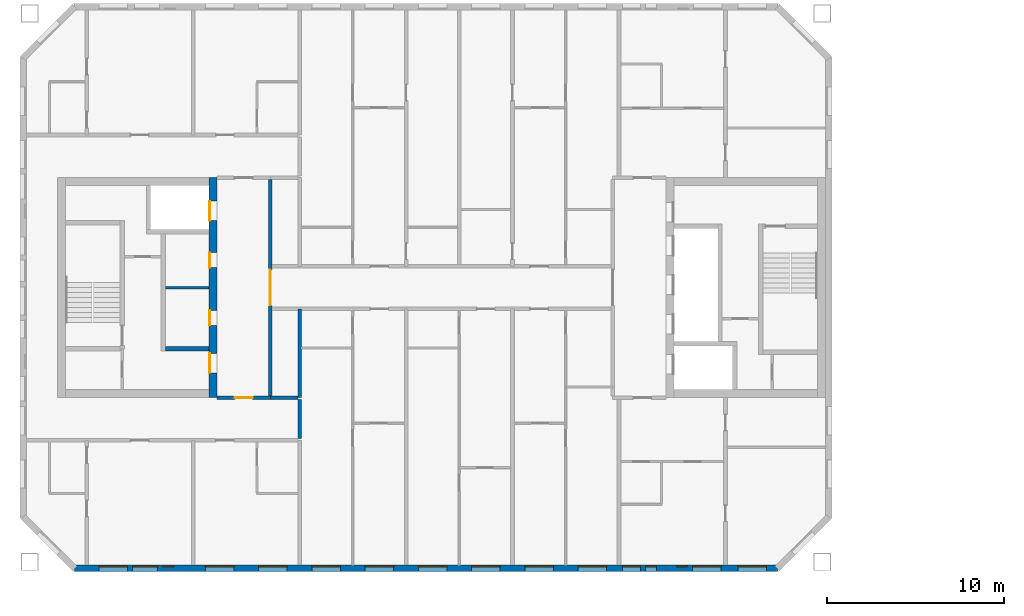
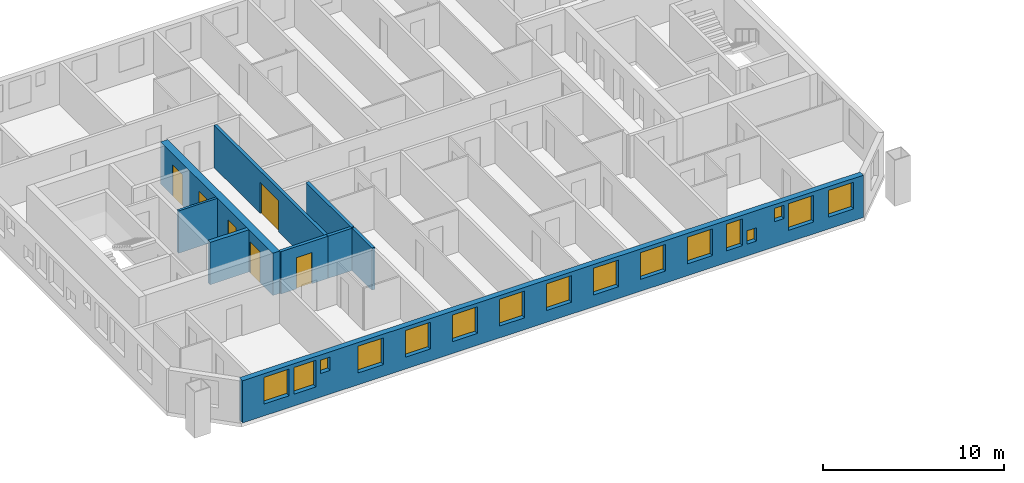
# One storey, part 3 of 16: 16 windows, 9 walls, 6 doors, 22 openings.
"""IFC4 building model written with IfcOpenShell, lengths in metres."""

from ifc_helpers import new_model, si_unit, direction, frame, frame_2d, origin, place, context, subcontext, project, spatial, rectangle, extrude, material, layer, layer_set, type_object, element, fill, save


model = new_model("IFC4")

# Units and contexts
model_context = context("Model", 3, precision=1e-05, world=origin(), true_north=direction((0.0, 1.0)))
body_context = subcontext(model_context, "Body", "Model", "MODEL_VIEW")
ifc_project = project(units=[si_unit("LENGTHUNIT", "METRE"), si_unit("AREAUNIT", "SQUARE_METRE"), si_unit("VOLUMEUNIT", "CUBIC_METRE"), si_unit("PLANEANGLEUNIT", "RADIAN"), si_unit("MASSUNIT", "GRAM", prefix="KILO")], contexts=[model_context])

# Site, building, storey
site_placement = place(None, origin())
site = spatial("IfcSite", under=ifc_project, at=site_placement, CompositionType="ELEMENT")
building_placement = place(site_placement, origin())
building = spatial("IfcBuilding", under=site, at=building_placement, Name="Tuart Gate Housing", CompositionType="ELEMENT")
storey_placement = place(building_placement, frame((0.0, 0.0, 178.89990234375)))
storey = spatial("IfcBuildingStorey", under=building, at=storey_placement, Name="L50", CompositionType="ELEMENT", Elevation=178.89990234375)

# Wall, openings, windows
ifc_material_1 = material(Name="Brick", Category="masonry")
ifc_layer_1 = layer(ifc_material_1, 0.360107421875)
ifc_layer_set_1 = layer_set([ifc_layer_1], Name="Brick pier and spandrel wall 360")
wall_type_1 = type_object("IfcWallType", Name="Brick pier and spandrel wall 360", PredefinedType="STANDARD", material=ifc_layer_set_1)
wall_1_placement = place(storey_placement, frame((33.32470703125, 54.179931640625, 0.0), z_axis=(0.0, 0.0, 1.0), x_axis=(1.0, 0.0, 0.0)))
wall_1 = element("IfcWall", 1, at=wall_1_placement, inside=storey, type_object=wall_type_1, Name="External wall A-S L50", PredefinedType="STANDARD", context=body_context, shape_type="SweptSolid", body=[
    extrude(rectangle(XDim=39.600830078125, YDim=0.360107421875, at=frame_2d((19.80029296875, 0.0))), origin(), (0.0, 0.0, 1.0), 2.85009765625),
])
opening_1_placement = place(wall_1_placement, frame((1.37548828125, 0.0, 0.800048828125)))
opening_1 = element("IfcOpeningElement", 2, at=opening_1_placement, cuts=wall_1, Name="Opening W1", PredefinedType="OPENING", context=body_context, shape_type="SweptSolid", body=[
    extrude(rectangle(XDim=1.60009765625, YDim=1.800048828125, at=frame_2d((0.800048828125, 0.89990234375))), frame((0.0, 0.18994140625, 0.0), z_axis=(0.0, -1.0, 0.0), x_axis=(1.0, 0.0, 0.0)), (0.0, 0.0, 1.0), 0.380126953125),
])
opening_2_placement = place(wall_1_placement, frame((3.275390625, 0.0, 0.800048828125)))
opening_2 = element("IfcOpeningElement", 3, at=opening_2_placement, cuts=wall_1, Name="Opening W1A", PredefinedType="OPENING", context=body_context, shape_type="SweptSolid", body=[
    extrude(rectangle(XDim=1.39990234375, YDim=1.800048828125, at=frame_2d((0.699951171875, 0.89990234375))), frame((0.0, 0.18994140625, 0.0), z_axis=(0.0, -1.0, 0.0), x_axis=(1.0, 0.0, 0.0)), (0.0, 0.0, 1.0), 0.380126953125),
])
opening_3_placement = place(wall_1_placement, frame((7.37548828125, 0.0, 0.800048828125)))
opening_3 = element("IfcOpeningElement", 4, at=opening_3_placement, cuts=wall_1, Name="Opening W1", PredefinedType="OPENING", context=body_context, shape_type="SweptSolid", body=[
    extrude(rectangle(XDim=1.60009765625, YDim=1.800048828125, at=frame_2d((0.800048828125, 0.89990234375))), frame((0.0, 0.18994140625, 0.0), z_axis=(0.0, -1.0, 0.0), x_axis=(1.0, 0.0, 0.0)), (0.0, 0.0, 1.0), 0.380126953125),
])
opening_4_placement = place(wall_1_placement, frame((10.37548828125, 0.0, 0.800048828125)))
opening_4 = element("IfcOpeningElement", 5, at=opening_4_placement, cuts=wall_1, Name="Opening W1", PredefinedType="OPENING", context=body_context, shape_type="SweptSolid", body=[
    extrude(rectangle(XDim=1.60009765625, YDim=1.800048828125, at=frame_2d((0.800048828125, 0.89990234375))), frame((0.0, 0.18994140625, 0.0), z_axis=(0.0, -1.0, 0.0), x_axis=(1.0, 0.0, 0.0)), (0.0, 0.0, 1.0), 0.380126953125),
])
opening_5_placement = place(wall_1_placement, frame((13.37548828125, 0.0, 0.800048828125)))
opening_5 = element("IfcOpeningElement", 6, at=opening_5_placement, cuts=wall_1, Name="Opening W1", PredefinedType="OPENING", context=body_context, shape_type="SweptSolid", body=[
    extrude(rectangle(XDim=1.60009765625, YDim=1.800048828125, at=frame_2d((0.800048828125, 0.89990234375))), frame((0.0, 0.18994140625, 0.0), z_axis=(0.0, -1.0, 0.0), x_axis=(1.0, 0.0, 0.0)), (0.0, 0.0, 1.0), 0.380126953125),
])
opening_6_placement = place(wall_1_placement, frame((16.37548828125, 0.0, 0.800048828125)))
opening_6 = element("IfcOpeningElement", 7, at=opening_6_placement, cuts=wall_1, Name="Opening W1", PredefinedType="OPENING", context=body_context, shape_type="SweptSolid", body=[
    extrude(rectangle(XDim=1.60009765625, YDim=1.800048828125, at=frame_2d((0.800048828125, 0.89990234375))), frame((0.0, 0.18994140625, 0.0), z_axis=(0.0, -1.0, 0.0), x_axis=(1.0, 0.0, 0.0)), (0.0, 0.0, 1.0), 0.380126953125),
])
opening_7_placement = place(wall_1_placement, frame((19.37548828125, 0.0, 0.800048828125)))
opening_7 = element("IfcOpeningElement", 8, at=opening_7_placement, cuts=wall_1, Name="Opening W1", PredefinedType="OPENING", context=body_context, shape_type="SweptSolid", body=[
    extrude(rectangle(XDim=1.60009765625, YDim=1.800048828125, at=frame_2d((0.800048828125, 0.89990234375))), frame((0.0, 0.18994140625, 0.0), z_axis=(0.0, -1.0, 0.0), x_axis=(1.0, 0.0, 0.0)), (0.0, 0.0, 1.0), 0.380126953125),
])
opening_8_placement = place(wall_1_placement, frame((22.37548828125, 0.0, 0.800048828125)))
opening_8 = element("IfcOpeningElement", 9, at=opening_8_placement, cuts=wall_1, Name="Opening W1", PredefinedType="OPENING", context=body_context, shape_type="SweptSolid", body=[
    extrude(rectangle(XDim=1.60009765625, YDim=1.800048828125, at=frame_2d((0.800048828125, 0.89990234375))), frame((0.0, 0.18994140625, 0.0), z_axis=(0.0, -1.0, 0.0), x_axis=(1.0, 0.0, 0.0)), (0.0, 0.0, 1.0), 0.380126953125),
])
opening_9_placement = place(wall_1_placement, frame((25.37548828125, 0.0, 0.800048828125)))
opening_9 = element("IfcOpeningElement", 10, at=opening_9_placement, cuts=wall_1, Name="Opening W1", PredefinedType="OPENING", context=body_context, shape_type="SweptSolid", body=[
    extrude(rectangle(XDim=1.60009765625, YDim=1.800048828125, at=frame_2d((0.800048828125, 0.89990234375))), frame((0.0, 0.18994140625, 0.0), z_axis=(0.0, -1.0, 0.0), x_axis=(1.0, 0.0, 0.0)), (0.0, 0.0, 1.0), 0.380126953125),
])
opening_10_placement = place(wall_1_placement, frame((28.37548828125, 0.0, 0.800048828125)))
opening_10 = element("IfcOpeningElement", 11, at=opening_10_placement, cuts=wall_1, Name="Opening W1", PredefinedType="OPENING", context=body_context, shape_type="SweptSolid", body=[
    extrude(rectangle(XDim=1.60009765625, YDim=1.800048828125, at=frame_2d((0.800048828125, 0.89990234375))), frame((0.0, 0.18994140625, 0.0), z_axis=(0.0, -1.0, 0.0), x_axis=(1.0, 0.0, 0.0)), (0.0, 0.0, 1.0), 0.380126953125),
])
opening_11_placement = place(wall_1_placement, frame((30.87548828125, 0.0, 0.800048828125)))
opening_11 = element("IfcOpeningElement", 12, at=opening_11_placement, cuts=wall_1, Name="Opening W1C", PredefinedType="OPENING", context=body_context, shape_type="SweptSolid", body=[
    extrude(rectangle(XDim=1.0, YDim=1.800048828125, at=frame_2d((0.5, 0.89990234375))), frame((0.0, 0.18994140625, 0.0), z_axis=(0.0, -1.0, 0.0), x_axis=(1.0, 0.0, 0.0)), (0.0, 0.0, 1.0), 0.380126953125),
])
opening_12_placement = place(wall_1_placement, frame((32.17529296875, 0.0, 0.800048828125)))
opening_12 = element("IfcOpeningElement", 13, at=opening_12_placement, cuts=wall_1, Name="Opening W1W", PredefinedType="OPENING", context=body_context, shape_type="SweptSolid", body=[
    extrude(rectangle(XDim=0.60009765625, YDim=0.89990234375, at=frame_2d((0.300048828125, 0.449951171875))), frame((0.0, 0.18994140625, 0.0), z_axis=(0.0, -1.0, 0.0), x_axis=(1.0, 0.0, 0.0)), (0.0, 0.0, 1.0), 0.380126953125),
])
opening_13_placement = place(wall_1_placement, frame((37.37548828125, 0.0, 0.800048828125)))
opening_13 = element("IfcOpeningElement", 14, at=opening_13_placement, cuts=wall_1, Name="Opening W1", PredefinedType="OPENING", context=body_context, shape_type="SweptSolid", body=[
    extrude(rectangle(XDim=1.60009765625, YDim=1.800048828125, at=frame_2d((0.800048828125, 0.89990234375))), frame((0.0, 0.18994140625, 0.0), z_axis=(0.0, -1.0, 0.0), x_axis=(1.0, 0.0, 0.0)), (0.0, 0.0, 1.0), 0.380126953125),
])
opening_14_placement = place(wall_1_placement, frame((4.975341796875, 0.0, 1.60009765625)))
opening_14 = element("IfcOpeningElement", 15, at=opening_14_placement, cuts=wall_1, Name="Opening W1W", PredefinedType="OPENING", context=body_context, shape_type="SweptSolid", body=[
    extrude(rectangle(XDim=0.60009765625, YDim=0.89990234375, at=frame_2d((0.300048828125, 0.449951171875))), frame((0.0, 0.18994140625, 0.0), z_axis=(0.0, -1.0, 0.0), x_axis=(1.0, 0.0, 0.0)), (0.0, 0.0, 1.0), 0.380126953125),
])
opening_15_placement = place(wall_1_placement, frame((33.92529296875, 0.0, 1.699951171875)))
opening_15 = element("IfcOpeningElement", 16, at=opening_15_placement, cuts=wall_1, Name="Opening W1W", PredefinedType="OPENING", context=body_context, shape_type="SweptSolid", body=[
    extrude(rectangle(XDim=0.60009765625, YDim=0.89990234375, at=frame_2d((0.300048828125, 0.449951171875))), frame((0.0, 0.18994140625, 0.0), z_axis=(0.0, -1.0, 0.0), x_axis=(1.0, 0.0, 0.0)), (0.0, 0.0, 1.0), 0.380126953125),
])
opening_16_placement = place(wall_1_placement, frame((34.825439453125, 0.0, 0.800048828125)))
opening_16 = element("IfcOpeningElement", 17, at=opening_16_placement, cuts=wall_1, Name="Opening W1", PredefinedType="OPENING", context=body_context, shape_type="SweptSolid", body=[
    extrude(rectangle(XDim=1.60009765625, YDim=1.800048828125, at=frame_2d((0.800048828125, 0.89990234375))), frame((0.0, 0.18994140625, 0.0), z_axis=(0.0, -1.0, 0.0), x_axis=(1.0, 0.0, 0.0)), (0.0, 0.0, 1.0), 0.380126953125),
])
ifc_material_2 = material(Name="Aluminium frame with clear glass", Category="aluminium")
window_type_1 = type_object("IfcWindowType", Name="Punched window 1000 x 1800", PartitioningType="SINGLE_PANEL", PredefinedType="WINDOW", material=ifc_material_2)
window_1_placement = place(opening_11_placement, origin())
window_1 = element("IfcWindow", 18, at=window_1_placement, inside=storey, type_object=window_type_1, Name="Window W1C", OverallHeight=1.800048828125, OverallWidth=1.0, PartitioningType="SINGLE_PANEL", PredefinedType="WINDOW", context=body_context, shape_type="SweptSolid", body=[
    extrude(rectangle(XDim=1.0, YDim=1.800048828125, at=frame_2d((0.5, 0.89990234375))), frame((0.0, 0.150146484375, 0.0), z_axis=(0.0, -1.0, 0.0), x_axis=(1.0, 0.0, 0.0)), (0.0, 0.0, 1.0), 0.06005859375),
])
fill(opening_11, window_1)
ifc_material_3 = material(Name="Aluminium frame with clear glass", Category="aluminium")
window_type_2 = type_object("IfcWindowType", Name="Punched window 1400 x 1800", PartitioningType="SINGLE_PANEL", PredefinedType="WINDOW", material=ifc_material_3)
window_2_placement = place(opening_2_placement, origin())
window_2 = element("IfcWindow", 19, at=window_2_placement, inside=storey, type_object=window_type_2, Name="Window W1A", OverallHeight=1.800048828125, OverallWidth=1.39990234375, PartitioningType="SINGLE_PANEL", PredefinedType="WINDOW", context=body_context, shape_type="SweptSolid", body=[
    extrude(rectangle(XDim=1.39990234375, YDim=1.800048828125, at=frame_2d((0.699951171875, 0.89990234375))), frame((0.0, 0.150146484375, 0.0), z_axis=(0.0, -1.0, 0.0), x_axis=(1.0, 0.0, 0.0)), (0.0, 0.0, 1.0), 0.06005859375),
])
fill(opening_2, window_2)
ifc_material_4 = material(Name="Aluminium frame with clear glass", Category="aluminium")
window_type_3 = type_object("IfcWindowType", Name="Punched window 1600 x 1800", PartitioningType="SINGLE_PANEL", PredefinedType="WINDOW", material=ifc_material_4)
window_3_placement = place(opening_1_placement, origin())
window_3 = element("IfcWindow", 20, at=window_3_placement, inside=storey, type_object=window_type_3, Name="Window W1", OverallHeight=1.800048828125, OverallWidth=1.60009765625, PartitioningType="SINGLE_PANEL", PredefinedType="WINDOW", context=body_context, shape_type="SweptSolid", body=[
    extrude(rectangle(XDim=1.60009765625, YDim=1.800048828125, at=frame_2d((0.800048828125, 0.89990234375))), frame((0.0, 0.150146484375, 0.0), z_axis=(0.0, -1.0, 0.0), x_axis=(1.0, 0.0, 0.0)), (0.0, 0.0, 1.0), 0.06005859375),
])
fill(opening_1, window_3)
window_4_placement = place(opening_3_placement, origin())
window_4 = element("IfcWindow", 21, at=window_4_placement, inside=storey, type_object=window_type_3, Name="Window W1", OverallHeight=1.800048828125, OverallWidth=1.60009765625, PartitioningType="SINGLE_PANEL", PredefinedType="WINDOW", context=body_context, shape_type="SweptSolid", body=[
    extrude(rectangle(XDim=1.60009765625, YDim=1.800048828125, at=frame_2d((0.800048828125, 0.89990234375))), frame((0.0, 0.150146484375, 0.0), z_axis=(0.0, -1.0, 0.0), x_axis=(1.0, 0.0, 0.0)), (0.0, 0.0, 1.0), 0.06005859375),
])
fill(opening_3, window_4)
window_5_placement = place(opening_4_placement, origin())
window_5 = element("IfcWindow", 22, at=window_5_placement, inside=storey, type_object=window_type_3, Name="Window W1", OverallHeight=1.800048828125, OverallWidth=1.60009765625, PartitioningType="SINGLE_PANEL", PredefinedType="WINDOW", context=body_context, shape_type="SweptSolid", body=[
    extrude(rectangle(XDim=1.60009765625, YDim=1.800048828125, at=frame_2d((0.800048828125, 0.89990234375))), frame((0.0, 0.150146484375, 0.0), z_axis=(0.0, -1.0, 0.0), x_axis=(1.0, 0.0, 0.0)), (0.0, 0.0, 1.0), 0.06005859375),
])
fill(opening_4, window_5)
window_6_placement = place(opening_5_placement, origin())
window_6 = element("IfcWindow", 23, at=window_6_placement, inside=storey, type_object=window_type_3, Name="Window W1", OverallHeight=1.800048828125, OverallWidth=1.60009765625, PartitioningType="SINGLE_PANEL", PredefinedType="WINDOW", context=body_context, shape_type="SweptSolid", body=[
    extrude(rectangle(XDim=1.60009765625, YDim=1.800048828125, at=frame_2d((0.800048828125, 0.89990234375))), frame((0.0, 0.150146484375, 0.0), z_axis=(0.0, -1.0, 0.0), x_axis=(1.0, 0.0, 0.0)), (0.0, 0.0, 1.0), 0.06005859375),
])
fill(opening_5, window_6)
window_7_placement = place(opening_6_placement, origin())
window_7 = element("IfcWindow", 24, at=window_7_placement, inside=storey, type_object=window_type_3, Name="Window W1", OverallHeight=1.800048828125, OverallWidth=1.60009765625, PartitioningType="SINGLE_PANEL", PredefinedType="WINDOW", context=body_context, shape_type="SweptSolid", body=[
    extrude(rectangle(XDim=1.60009765625, YDim=1.800048828125, at=frame_2d((0.800048828125, 0.89990234375))), frame((0.0, 0.150146484375, 0.0), z_axis=(0.0, -1.0, 0.0), x_axis=(1.0, 0.0, 0.0)), (0.0, 0.0, 1.0), 0.06005859375),
])
fill(opening_6, window_7)
window_8_placement = place(opening_7_placement, origin())
window_8 = element("IfcWindow", 25, at=window_8_placement, inside=storey, type_object=window_type_3, Name="Window W1", OverallHeight=1.800048828125, OverallWidth=1.60009765625, PartitioningType="SINGLE_PANEL", PredefinedType="WINDOW", context=body_context, shape_type="SweptSolid", body=[
    extrude(rectangle(XDim=1.60009765625, YDim=1.800048828125, at=frame_2d((0.800048828125, 0.89990234375))), frame((0.0, 0.150146484375, 0.0), z_axis=(0.0, -1.0, 0.0), x_axis=(1.0, 0.0, 0.0)), (0.0, 0.0, 1.0), 0.06005859375),
])
fill(opening_7, window_8)
window_9_placement = place(opening_8_placement, origin())
window_9 = element("IfcWindow", 26, at=window_9_placement, inside=storey, type_object=window_type_3, Name="Window W1", OverallHeight=1.800048828125, OverallWidth=1.60009765625, PartitioningType="SINGLE_PANEL", PredefinedType="WINDOW", context=body_context, shape_type="SweptSolid", body=[
    extrude(rectangle(XDim=1.60009765625, YDim=1.800048828125, at=frame_2d((0.800048828125, 0.89990234375))), frame((0.0, 0.150146484375, 0.0), z_axis=(0.0, -1.0, 0.0), x_axis=(1.0, 0.0, 0.0)), (0.0, 0.0, 1.0), 0.06005859375),
])
fill(opening_8, window_9)
window_10_placement = place(opening_9_placement, origin())
window_10 = element("IfcWindow", 27, at=window_10_placement, inside=storey, type_object=window_type_3, Name="Window W1", OverallHeight=1.800048828125, OverallWidth=1.60009765625, PartitioningType="SINGLE_PANEL", PredefinedType="WINDOW", context=body_context, shape_type="SweptSolid", body=[
    extrude(rectangle(XDim=1.60009765625, YDim=1.800048828125, at=frame_2d((0.800048828125, 0.89990234375))), frame((0.0, 0.150146484375, 0.0), z_axis=(0.0, -1.0, 0.0), x_axis=(1.0, 0.0, 0.0)), (0.0, 0.0, 1.0), 0.06005859375),
])
fill(opening_9, window_10)
window_11_placement = place(opening_10_placement, origin())
window_11 = element("IfcWindow", 28, at=window_11_placement, inside=storey, type_object=window_type_3, Name="Window W1", OverallHeight=1.800048828125, OverallWidth=1.60009765625, PartitioningType="SINGLE_PANEL", PredefinedType="WINDOW", context=body_context, shape_type="SweptSolid", body=[
    extrude(rectangle(XDim=1.60009765625, YDim=1.800048828125, at=frame_2d((0.800048828125, 0.89990234375))), frame((0.0, 0.150146484375, 0.0), z_axis=(0.0, -1.0, 0.0), x_axis=(1.0, 0.0, 0.0)), (0.0, 0.0, 1.0), 0.06005859375),
])
fill(opening_10, window_11)
window_12_placement = place(opening_13_placement, origin())
window_12 = element("IfcWindow", 29, at=window_12_placement, inside=storey, type_object=window_type_3, Name="Window W1", OverallHeight=1.800048828125, OverallWidth=1.60009765625, PartitioningType="SINGLE_PANEL", PredefinedType="WINDOW", context=body_context, shape_type="SweptSolid", body=[
    extrude(rectangle(XDim=1.60009765625, YDim=1.800048828125, at=frame_2d((0.800048828125, 0.89990234375))), frame((0.0, 0.150146484375, 0.0), z_axis=(0.0, -1.0, 0.0), x_axis=(1.0, 0.0, 0.0)), (0.0, 0.0, 1.0), 0.06005859375),
])
fill(opening_13, window_12)
window_13_placement = place(opening_16_placement, origin())
window_13 = element("IfcWindow", 30, at=window_13_placement, inside=storey, type_object=window_type_3, Name="Window W1", OverallHeight=1.800048828125, OverallWidth=1.60009765625, PartitioningType="SINGLE_PANEL", PredefinedType="WINDOW", context=body_context, shape_type="SweptSolid", body=[
    extrude(rectangle(XDim=1.60009765625, YDim=1.800048828125, at=frame_2d((0.800048828125, 0.89990234375))), frame((0.0, 0.150146484375, 0.0), z_axis=(0.0, -1.0, 0.0), x_axis=(1.0, 0.0, 0.0)), (0.0, 0.0, 1.0), 0.06005859375),
])
fill(opening_16, window_13)
ifc_material_5 = material(Name="Aluminium frame with clear glass", Category="aluminium")
window_type_4 = type_object("IfcWindowType", Name="Punched window 600 x 900", PartitioningType="SINGLE_PANEL", PredefinedType="WINDOW", material=ifc_material_5)
window_14_placement = place(opening_12_placement, origin())
window_14 = element("IfcWindow", 31, at=window_14_placement, inside=storey, type_object=window_type_4, Name="Window W1W", OverallHeight=0.89990234375, OverallWidth=0.60009765625, PartitioningType="SINGLE_PANEL", PredefinedType="WINDOW", context=body_context, shape_type="SweptSolid", body=[
    extrude(rectangle(XDim=0.60009765625, YDim=0.89990234375, at=frame_2d((0.300048828125, 0.449951171875))), frame((0.0, 0.150146484375, 0.0), z_axis=(0.0, -1.0, 0.0), x_axis=(1.0, 0.0, 0.0)), (0.0, 0.0, 1.0), 0.06005859375),
])
fill(opening_12, window_14)
window_15_placement = place(opening_14_placement, origin())
window_15 = element("IfcWindow", 32, at=window_15_placement, inside=storey, type_object=window_type_4, Name="Window W1W", OverallHeight=0.89990234375, OverallWidth=0.60009765625, PartitioningType="SINGLE_PANEL", PredefinedType="WINDOW", context=body_context, shape_type="SweptSolid", body=[
    extrude(rectangle(XDim=0.60009765625, YDim=0.89990234375, at=frame_2d((0.300048828125, 0.449951171875))), frame((0.0, 0.150146484375, 0.0), z_axis=(0.0, -1.0, 0.0), x_axis=(1.0, 0.0, 0.0)), (0.0, 0.0, 1.0), 0.06005859375),
])
fill(opening_14, window_15)
window_16_placement = place(opening_15_placement, origin())
window_16 = element("IfcWindow", 33, at=window_16_placement, inside=storey, type_object=window_type_4, Name="Window W1W", OverallHeight=0.89990234375, OverallWidth=0.60009765625, PartitioningType="SINGLE_PANEL", PredefinedType="WINDOW", context=body_context, shape_type="SweptSolid", body=[
    extrude(rectangle(XDim=0.60009765625, YDim=0.89990234375, at=frame_2d((0.300048828125, 0.449951171875))), frame((0.0, 0.150146484375, 0.0), z_axis=(0.0, -1.0, 0.0), x_axis=(1.0, 0.0, 0.0)), (0.0, 0.0, 1.0), 0.06005859375),
])
fill(opening_15, window_16)

# Walls
ifc_material_6 = material(Name="Plasterboard partition")
ifc_layer_2 = layer(ifc_material_6, 0.14990234375)
ifc_layer_set_2 = layer_set([ifc_layer_2], Name="Core partition 150")
wall_type_2 = type_object("IfcWallType", Name="Core partition 150", PredefinedType="PARTITIONING", material=ifc_layer_set_2)
wall_2_placement = place(storey_placement, frame((40.909912109375, 70.0, 0.0), z_axis=(0.0, 0.0, 1.0), x_axis=(-1.0, 0.0, 0.0)))
element("IfcWall", 34, at=wall_2_placement, inside=storey, type_object=wall_type_2, Name="Core partition AK.4", PredefinedType="PARTITIONING", context=body_context, shape_type="SweptSolid", body=[
    extrude(rectangle(XDim=2.474853515625, YDim=0.14990234375, at=frame_2d((1.2373046875, 0.0))), origin(), (0.0, 0.0, 1.0), 2.85009765625),
])
ifc_material_7 = material(Name="Concrete C40", Category="concrete")
ifc_layer_3 = layer(ifc_material_7, 0.25)
ifc_layer_set_3 = layer_set([ifc_layer_3], Name="Core wall 250 C40")
wall_type_3 = type_object("IfcWallType", Name="Core wall 250 C40", PredefinedType="SHEAR", material=ifc_layer_set_3)
wall_3_placement = place(storey_placement, frame((40.909912109375, 66.550048828125, 0.0), z_axis=(0.0, 0.0, 1.0), x_axis=(-1.0, 0.0, 0.0)))
element("IfcWall", 35, at=wall_3_placement, inside=storey, type_object=wall_type_3, Name="Core wall AK.5", PredefinedType="SHEAR", context=body_context, shape_type="SweptSolid", body=[
    extrude(rectangle(XDim=2.474853515625, YDim=0.25, at=frame_2d((1.2373046875, 0.0))), origin(), (0.0, 0.0, 1.0), 2.85009765625),
])

# Wall, openings, doors
ifc_material_8 = material(Name="Concrete C40", Category="concrete")
ifc_layer_4 = layer(ifc_material_8, 0.449951171875)
ifc_layer_set_4 = layer_set([ifc_layer_4], Name="Core wall 450 C40")
wall_type_4 = type_object("IfcWallType", Name="Core wall 450 C40", PredefinedType="SHEAR", material=ifc_layer_set_4)
wall_4_placement = place(storey_placement, frame((41.135009765625, 76.199951171875, 0.0), z_axis=(0.0, 0.0, 1.0), x_axis=(0.0, -1.0, 0.0)))
wall_4 = element("IfcWall", 36, at=wall_4_placement, inside=storey, type_object=wall_type_4, Name="Core wall AK front", PredefinedType="SHEAR", context=body_context, shape_type="SweptSolid", body=[
    extrude(rectangle(XDim=12.39990234375, YDim=0.449951171875, at=frame_2d((6.199951171875, 0.0))), origin(), (0.0, 0.0, 1.0), 2.85009765625),
])
opening_17_placement = place(wall_4_placement, frame((1.324951171875, 0.0, 0.0)))
opening_17 = element("IfcOpeningElement", 37, at=opening_17_placement, cuts=wall_4, Name="Opening LD-FA2", PredefinedType="OPENING", context=body_context, shape_type="SweptSolid", body=[
    extrude(rectangle(XDim=1.10009765625, YDim=2.10009765625, at=frame_2d((0.550048828125, 1.050048828125))), frame((0.0, 0.23486328125, 0.0), z_axis=(0.0, -1.0, 0.0), x_axis=(1.0, 0.0, 0.0)), (0.0, 0.0, 1.0), 0.469970703125),
])
opening_18_placement = place(wall_4_placement, frame((4.22509765625, 0.0, 0.0)))
opening_18 = element("IfcOpeningElement", 38, at=opening_18_placement, cuts=wall_4, Name="Opening D1760", PredefinedType="OPENING", context=body_context, shape_type="SweptSolid", body=[
    extrude(rectangle(XDim=0.85009765625, YDim=2.10009765625, at=frame_2d((0.425048828125, 1.050048828125))), frame((0.0, 0.23486328125, 0.0), z_axis=(0.0, -1.0, 0.0), x_axis=(1.0, 0.0, 0.0)), (0.0, 0.0, 1.0), 0.469970703125),
])
opening_19_placement = place(wall_4_placement, frame((7.47509765625, 0.0, 0.0)))
opening_19 = element("IfcOpeningElement", 39, at=opening_19_placement, cuts=wall_4, Name="Opening D1761", PredefinedType="OPENING", context=body_context, shape_type="SweptSolid", body=[
    extrude(rectangle(XDim=0.85009765625, YDim=2.10009765625, at=frame_2d((0.425048828125, 1.050048828125))), frame((0.0, 0.23486328125, 0.0), z_axis=(0.0, -1.0, 0.0), x_axis=(1.0, 0.0, 0.0)), (0.0, 0.0, 1.0), 0.469970703125),
])
opening_20_placement = place(wall_4_placement, frame((9.89990234375, 0.0, 0.0)))
opening_20 = element("IfcOpeningElement", 40, at=opening_20_placement, cuts=wall_4, Name="Opening D1759", PredefinedType="OPENING", context=body_context, shape_type="SweptSolid", body=[
    extrude(rectangle(XDim=1.10009765625, YDim=2.10009765625, at=frame_2d((0.550048828125, 1.050048828125))), frame((0.0, 0.23486328125, 0.0), z_axis=(0.0, -1.0, 0.0), x_axis=(1.0, 0.0, 0.0)), (0.0, 0.0, 1.0), 0.469970703125),
])
ifc_material_9 = material(Name="Stainless steel", Category="steel")
door_type_1 = type_object("IfcDoorType", Name="Landing door 1100 x 2100", OperationType="DOUBLE_DOOR_SLIDING", PredefinedType="DOOR", material=ifc_material_9)
door_1_placement = place(opening_17_placement, origin())
door_1 = element("IfcDoor", 41, at=door_1_placement, inside=storey, type_object=door_type_1, Name="Lift landing door FA2", OperationType="DOUBLE_DOOR_SLIDING", OverallHeight=2.10009765625, OverallWidth=1.10009765625, PredefinedType="DOOR", context=body_context, shape_type="SweptSolid", body=[
    extrude(rectangle(XDim=1.10009765625, YDim=2.10009765625, at=frame_2d((0.550048828125, 1.050048828125))), frame((0.0, -0.16015625, 0.0), z_axis=(0.0, -1.0, 0.0), x_axis=(1.0, 0.0, 0.0)), (0.0, 0.0, 1.0), 0.050048828125),
])
fill(opening_17, door_1)
ifc_material_10 = material(Name="Steel fire door", Category="steel")
door_type_2 = type_object("IfcDoorType", Name="Lobby door 1100 x 2100 RH", OperationType="SINGLE_SWING_RIGHT", PredefinedType="DOOR", material=ifc_material_10)
door_2_placement = place(opening_20_placement, frame((1.10009765625, 0.0, 0.0), z_axis=(0.0, 0.0, 1.0), x_axis=(-1.0, 0.0, 0.0)))
door_2 = element("IfcDoor", 42, at=door_2_placement, inside=storey, type_object=door_type_2, Name="Lobby entry door AK.EN", OperationType="SINGLE_SWING_RIGHT", OverallHeight=2.10009765625, OverallWidth=1.10009765625, PredefinedType="DOOR", context=body_context, shape_type="SweptSolid", body=[
    extrude(rectangle(XDim=1.10009765625, YDim=2.10009765625, at=frame_2d((0.550048828125, 1.050048828125))), frame((0.0, 0.210205078125, 0.0), z_axis=(0.0, -1.0, 0.0), x_axis=(1.0, 0.0, 0.0)), (0.0, 0.0, 1.0), 0.050048828125),
])
fill(opening_20, door_2)
ifc_material_11 = material(Name="Steel fire door", Category="steel")
door_type_3 = type_object("IfcDoorType", Name="Service door 850 x 2100 RH", OperationType="SINGLE_SWING_RIGHT", PredefinedType="DOOR", material=ifc_material_11)
door_3_placement = place(opening_18_placement, frame((0.85009765625, 0.0, 0.0), z_axis=(0.0, 0.0, 1.0), x_axis=(-1.0, 0.0, 0.0)))
door_3 = element("IfcDoor", 43, at=door_3_placement, inside=storey, type_object=door_type_3, Name="Service room door AK.FR1", OperationType="SINGLE_SWING_RIGHT", OverallHeight=2.10009765625, OverallWidth=0.85009765625, PredefinedType="DOOR", context=body_context, shape_type="SweptSolid", body=[
    extrude(rectangle(XDim=0.85009765625, YDim=2.10009765625, at=frame_2d((0.425048828125, 1.050048828125))), frame((0.0, 0.210205078125, 0.0), z_axis=(0.0, -1.0, 0.0), x_axis=(1.0, 0.0, 0.0)), (0.0, 0.0, 1.0), 0.050048828125),
])
fill(opening_18, door_3)
door_4_placement = place(opening_19_placement, frame((0.85009765625, 0.0, 0.0), z_axis=(0.0, 0.0, 1.0), x_axis=(-1.0, 0.0, 0.0)))
door_4 = element("IfcDoor", 44, at=door_4_placement, inside=storey, type_object=door_type_3, Name="Service room door AK.FR2", OperationType="SINGLE_SWING_RIGHT", OverallHeight=2.10009765625, OverallWidth=0.85009765625, PredefinedType="DOOR", context=body_context, shape_type="SweptSolid", body=[
    extrude(rectangle(XDim=0.85009765625, YDim=2.10009765625, at=frame_2d((0.425048828125, 1.050048828125))), frame((0.0, 0.210205078125, 0.0), z_axis=(0.0, -1.0, 0.0), x_axis=(1.0, 0.0, 0.0)), (0.0, 0.0, 1.0), 0.050048828125),
])
fill(opening_19, door_4)

# Walls
ifc_material_12 = material(Name="Concrete masonry 15 MPa", Category="masonry")
ifc_layer_5 = layer(ifc_material_12, 0.199951171875)
ifc_layer_set_5 = layer_set([ifc_layer_5], Name="Corridor wall masonry 200")
wall_type_5 = type_object("IfcWallType", Name="Corridor wall masonry 200", PredefinedType="PARTITIONING", material=ifc_layer_set_5)
wall_5_placement = place(storey_placement, frame((44.360107421875, 63.800048828125, 0.0), z_axis=(0.0, 0.0, 1.0), x_axis=(1.0, 0.0, 0.0)))
element("IfcWall", 45, at=wall_5_placement, inside=storey, type_object=wall_type_5, Name="Corridor wall masonry 200", PredefinedType="PARTITIONING", context=body_context, shape_type="SweptSolid", body=[
    extrude(rectangle(XDim=1.539794921875, YDim=0.199951171875, at=frame_2d((0.77001953125, 0.0))), origin(), (0.0, 0.0, 1.0), 2.85009765625),
])
wall_6_placement = place(storey_placement, frame((46.0, 61.5, 0.0), z_axis=(0.0, 0.0, 1.0), x_axis=(0.0, 1.0, 0.0)))
element("IfcWall", 46, at=wall_6_placement, inside=storey, type_object=wall_type_5, Name="Corridor wall masonry 200", PredefinedType="PARTITIONING", context=body_context, shape_type="SweptSolid", body=[
    extrude(rectangle(XDim=2.199951171875, YDim=0.199951171875, at=frame_2d((1.10009765625, 0.0))), origin(), (0.0, 0.0, 1.0), 2.85009765625),
])

# Wall, opening, door
ifc_material_13 = material(Name="Concrete masonry 15 MPa", Category="masonry")
ifc_layer_6 = layer(ifc_material_13, 0.199951171875)
ifc_layer_set_6 = layer_set([ifc_layer_6], Name="Enclosure wall masonry 200")
wall_type_6 = type_object("IfcWallType", Name="Enclosure wall masonry 200", PredefinedType="PARTITIONING", material=ifc_layer_set_6)
wall_7_placement = place(storey_placement, frame((41.360107421875, 63.800048828125, 0.0), z_axis=(0.0, 0.0, 1.0), x_axis=(1.0, 0.0, 0.0)))
wall_7 = element("IfcWall", 47, at=wall_7_placement, inside=storey, type_object=wall_type_6, Name="Enclosure wall masonry 200", PredefinedType="PARTITIONING", context=body_context, shape_type="SweptSolid", body=[
    extrude(rectangle(XDim=3.0, YDim=0.199951171875, at=frame_2d((1.5, 0.0))), origin(), (0.0, 0.0, 1.0), 2.85009765625),
])
opening_21_placement = place(wall_7_placement, frame((1.0, 0.0, 0.0)))
opening_21 = element("IfcOpeningElement", 48, at=opening_21_placement, cuts=wall_7, Name="Opening D1771", PredefinedType="OPENING", context=body_context, shape_type="SweptSolid", body=[
    extrude(rectangle(XDim=1.0, YDim=2.10009765625, at=frame_2d((0.5, 1.050048828125))), frame((0.0, 0.10986328125, 0.0), z_axis=(0.0, -1.0, 0.0), x_axis=(1.0, 0.0, 0.0)), (0.0, 0.0, 1.0), 0.219970703125),
])
ifc_material_14 = material(Name="Timber door leaf in steel frame", Category="steel")
door_type_4 = type_object("IfcDoorType", Name="Fire door 1000", OperationType="SINGLE_SWING_LEFT", PredefinedType="DOOR", material=ifc_material_14)
door_5_placement = place(opening_21_placement, frame((1.0, 0.0, 0.0), z_axis=(0.0, 0.0, 1.0), x_axis=(-1.0, 0.0, 0.0)))
door_5 = element("IfcDoor", 49, at=door_5_placement, inside=storey, type_object=door_type_4, Name="Fire door", OperationType="SINGLE_SWING_LEFT", OverallHeight=2.10009765625, OverallWidth=1.0, PredefinedType="DOOR", context=body_context, shape_type="SweptSolid", body=[
    extrude(rectangle(XDim=1.0, YDim=2.10009765625, at=frame_2d((0.5, 1.050048828125))), frame((0.0, 0.025146484375, 0.0), z_axis=(0.0, -1.0, 0.0), x_axis=(1.0, 0.0, 0.0)), (0.0, 0.0, 1.0), 0.050048828125),
])
fill(opening_21, door_5)

ifc_material_15 = material(Name="Plasterboard partition")
ifc_layer_7 = layer(ifc_material_15, 0.199951171875)
ifc_layer_set_7 = layer_set([ifc_layer_7], Name="Lobby wall 200")
wall_type_7 = type_object("IfcWallType", Name="Lobby wall 200", PredefinedType="PARTITIONING", material=ifc_layer_set_7)
wall_8_placement = place(storey_placement, frame((44.360107421875, 63.89990234375, 0.0), z_axis=(0.0, 0.0, 1.0), x_axis=(0.0, 1.0, 0.0)))
wall_8 = element("IfcWall", 50, at=wall_8_placement, inside=storey, type_object=wall_type_7, Name="Lift lobby wall AK", PredefinedType="PARTITIONING", context=body_context, shape_type="SweptSolid", body=[
    extrude(rectangle(XDim=12.2001953125, YDim=0.199951171875, at=frame_2d((6.10009765625, 0.0))), origin(), (0.0, 0.0, 1.0), 2.85009765625),
])
opening_22_placement = place(wall_8_placement, frame((5.10009765625, 0.0, 0.0)))
opening_22 = element("IfcOpeningElement", 51, at=opening_22_placement, cuts=wall_8, Name="Opening D1762", PredefinedType="OPENING", context=body_context, shape_type="SweptSolid", body=[
    extrude(rectangle(XDim=2.0, YDim=2.10009765625, at=frame_2d((1.0, 1.050048828125))), frame((0.0, 0.10986328125, 0.0), z_axis=(0.0, -1.0, 0.0), x_axis=(1.0, 0.0, 0.0)), (0.0, 0.0, 1.0), 0.219970703125),
])
ifc_material_16 = material(Name="Steel fire door", Category="steel")
door_type_5 = type_object("IfcDoorType", Name="Smoke door 2000 x 2100", OperationType="DOUBLE_DOOR_SINGLE_SWING", PredefinedType="DOOR", material=ifc_material_16)
door_6_placement = place(opening_22_placement, origin())
door_6 = element("IfcDoor", 52, at=door_6_placement, inside=storey, type_object=door_type_5, Name="Lift lobby smoke door AK", OperationType="DOUBLE_DOOR_SINGLE_SWING", OverallHeight=2.10009765625, OverallWidth=2.0, PredefinedType="DOOR", context=body_context, shape_type="SweptSolid", body=[
    extrude(rectangle(XDim=2.0, YDim=2.10009765625, at=frame_2d((1.0, 1.050048828125))), frame((0.0, 0.02490234375, 0.0), z_axis=(0.0, -1.0, 0.0), x_axis=(1.0, 0.0, 0.0)), (0.0, 0.0, 1.0), 0.050048828125),
])
fill(opening_22, door_6)

# Wall
ifc_material_17 = material(Name="Concrete C40", Category="concrete")
ifc_layer_8 = layer(ifc_material_17, 0.199951171875)
ifc_layer_set_8 = layer_set([ifc_layer_8], Name="Party wall concrete C40 200")
wall_type_8 = type_object("IfcWallType", Name="Party wall concrete C40 200", PredefinedType="SOLIDWALL", material=ifc_layer_set_8)
wall_9_placement = place(storey_placement, frame((46.0, 63.800048828125, 0.0), z_axis=(0.0, 0.0, 1.0), x_axis=(0.0, 1.0, 0.0)))
element("IfcWall", 53, at=wall_9_placement, inside=storey, type_object=wall_type_8, Name="Party wall concrete C40 200", PredefinedType="SOLIDWALL", context=body_context, shape_type="SweptSolid", body=[
    extrude(rectangle(XDim=5.0, YDim=0.199951171875, at=frame_2d((2.5, 0.0))), origin(), (0.0, 0.0, 1.0), 2.85009765625),
])

save(model, "model.ifc")
